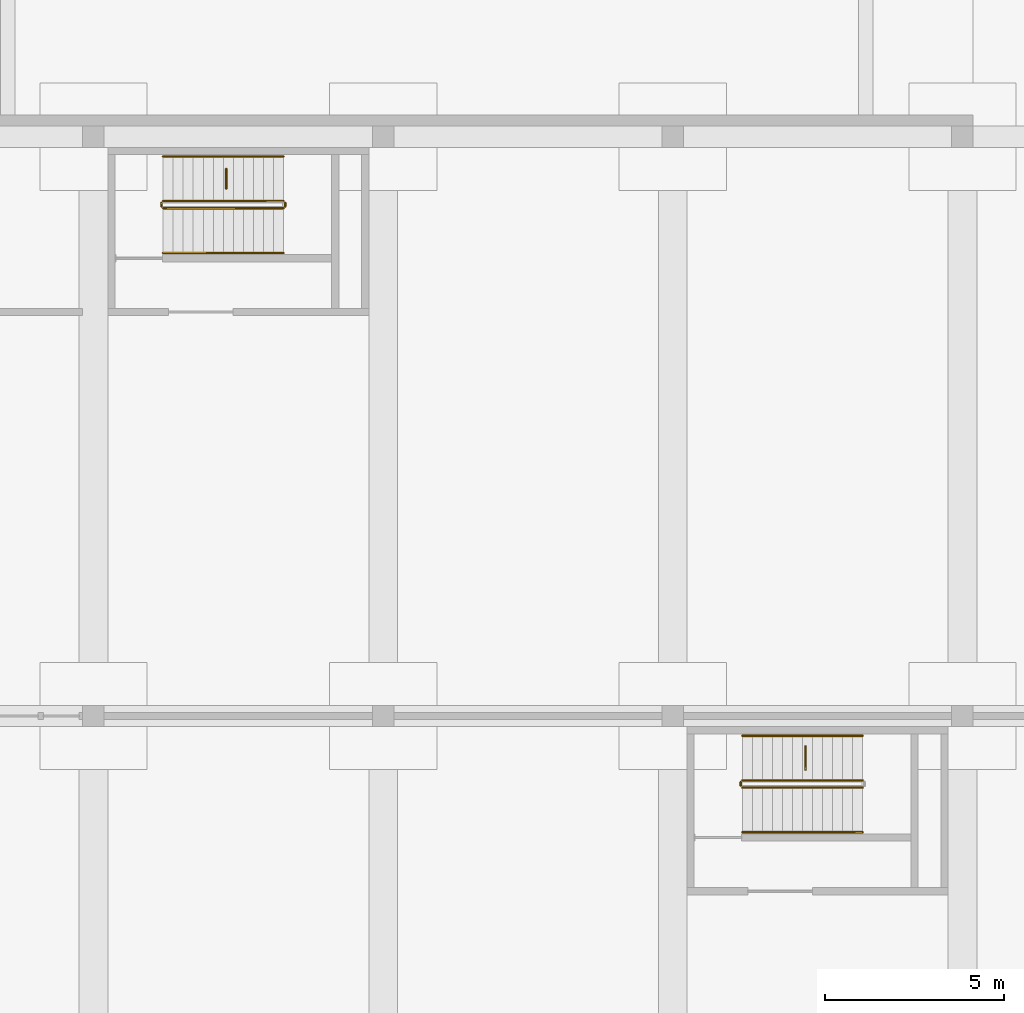
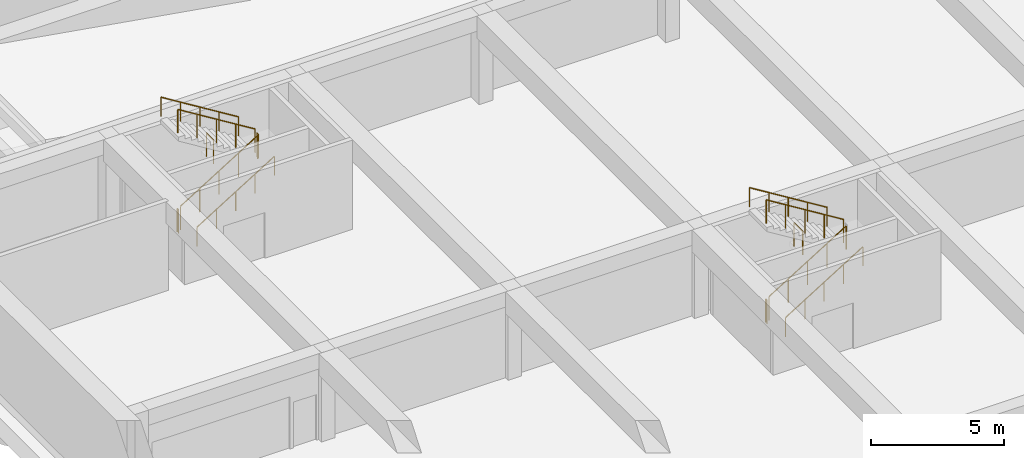
# One storey, part 18 of 25: 13 railings.
"""IFC4 building model written with IfcOpenShell, lengths in metres."""

from ifc_helpers import new_model, si_unit, direction, frame, origin, origin_2d, place, context, subcontext, project, spatial, circle, extrude, material, type_object, element, save


model = new_model("IFC4")

# Units and contexts
model_context = context("Model", 3, precision=1e-05, world=origin(), true_north=direction((0.0, 1.0)))
body_context = subcontext(model_context, "Body", "Model", "MODEL_VIEW")
ifc_project = project(units=[si_unit("LENGTHUNIT", "METRE"), si_unit("AREAUNIT", "SQUARE_METRE"), si_unit("VOLUMEUNIT", "CUBIC_METRE"), si_unit("PLANEANGLEUNIT", "RADIAN"), si_unit("MASSUNIT", "GRAM", prefix="KILO")], contexts=[model_context])

# Site, building, storey
site_placement = place(None, origin())
site = spatial("IfcSite", under=ifc_project, at=site_placement, CompositionType="ELEMENT")
building_placement = place(site_placement, origin())
building = spatial("IfcBuilding", under=site, at=building_placement, Name="Stone Belt Terrace Tower", CompositionType="ELEMENT")
storey_placement = place(building_placement, frame((0.0, 0.0, -13.5)))
storey = spatial("IfcBuildingStorey", under=building, at=storey_placement, Name="B3", CompositionType="ELEMENT", Elevation=-13.5)

# Railings
ifc_material_1 = material(Name="Structural steel C345", Category="steel")
railing_type_1 = type_object("IfcRailingType", Name="Car park guard 1100", PredefinedType="GUARDRAIL", material=ifc_material_1)
railing_1_placement = place(storey_placement, frame((-22.35009765625, -3.800048828125, 0.173095703125)))
element("IfcRailing", 1, at=railing_1_placement, inside=storey, type_object=railing_type_1, Name="B3 CS3 stair guard 1", PredefinedType="GUARDRAIL", context=body_context, shape_type="SweptSolid", body=[
    extrude(circle(Radius=0.02392578125, at=origin_2d()), frame((0.0, 0.0, 1.076171875), z_axis=(0.850623216509, 0.0, 0.525775754039), x_axis=(0.0, 1.0, 0.0)), (0.0, 0.0, 1.0), 3.9501953125),
    extrude(circle(Radius=0.02099609375, at=origin_2d()), origin(), (0.0, 0.0, 1.0), 1.052001953125),
    extrude(circle(Radius=0.02099609375, at=origin_2d()), frame((0.840087890625, 0.0, 0.519287109375)), (0.0, 0.0, 1.0), 1.052001953125),
    extrude(circle(Radius=0.02099609375, at=origin_2d()), frame((1.68017578125, 0.0, 1.03857421875)), (0.0, 0.0, 1.0), 1.052001953125),
    extrude(circle(Radius=0.02099609375, at=origin_2d()), frame((2.52001953125, 0.0, 1.5576171875)), (0.0, 0.0, 1.0), 1.052001953125),
    extrude(circle(Radius=0.02099609375, at=origin_2d()), frame((3.360107421875, 0.0, 2.076904296875)), (0.0, 0.0, 1.0), 1.052001953125),
])
railing_2_placement = place(storey_placement, frame((-18.93994140625, -3.75, 2.25)))
element("IfcRailing", 2, at=railing_2_placement, inside=storey, type_object=railing_type_1, Name="B3 CS3 stair guard 2", PredefinedType="GUARDRAIL", context=body_context, shape_type="SweptSolid", body=[
    extrude(circle(Radius=0.02392578125, at=origin_2d()), frame((0.0, 0.0, 1.076171875), z_axis=(0.0, 1.0, 0.0), x_axis=(-1.0, 0.0, 0.0)), (0.0, 0.0, 1.0), 0.10009765625),
    extrude(circle(Radius=0.02099609375, at=origin_2d()), origin(), (0.0, 0.0, 1.0), 1.052001953125),
    extrude(circle(Radius=0.02099609375, at=origin_2d()), frame((0.0, 0.10009765625, 0.0)), (0.0, 0.0, 1.0), 1.052001953125),
])
railing_3_placement = place(storey_placement, frame((-18.989990234375, -3.60009765625, 2.423095703125)))
element("IfcRailing", 3, at=railing_3_placement, inside=storey, type_object=railing_type_1, Name="B3 CS3 stair guard 3", PredefinedType="GUARDRAIL", context=body_context, shape_type="SweptSolid", body=[
    extrude(circle(Radius=0.02392578125, at=origin_2d()), frame((0.0, 0.0, 1.076171875), z_axis=(-0.850623216509, 0.0, 0.525775754039), x_axis=(0.0, -1.0, 0.0)), (0.0, 0.0, 1.0), 3.9501953125),
    extrude(circle(Radius=0.02099609375, at=origin_2d()), origin(), (0.0, 0.0, 1.0), 1.052001953125),
    extrude(circle(Radius=0.02099609375, at=origin_2d()), frame((-0.840087890625, 0.0, 0.519287109375)), (0.0, 0.0, 1.0), 1.052001953125),
    extrude(circle(Radius=0.02099609375, at=origin_2d()), frame((-1.68017578125, 0.0, 1.03857421875)), (0.0, 0.0, 1.0), 1.052001953125),
    extrude(circle(Radius=0.02099609375, at=origin_2d()), frame((-2.52001953125, 0.0, 1.5576171875)), (0.0, 0.0, 1.0), 1.052001953125),
    extrude(circle(Radius=0.02099609375, at=origin_2d()), frame((-3.360107421875, 0.0, 2.076904296875)), (0.0, 0.0, 1.0), 1.052001953125),
])
railing_4_placement = place(storey_placement, frame((-22.39990234375, -3.75, 0.0)))
element("IfcRailing", 4, at=railing_4_placement, inside=storey, type_object=railing_type_1, Name="B3 CS3 stair guard 4", PredefinedType="GUARDRAIL", context=body_context, shape_type="SweptSolid", body=[
    extrude(circle(Radius=0.02392578125, at=origin_2d()), frame((0.0, 0.0, 1.076171875), z_axis=(0.0, 1.0, 0.0), x_axis=(-1.0, 0.0, 0.0)), (0.0, 0.0, 1.0), 0.10009765625),
    extrude(circle(Radius=0.02099609375, at=origin_2d()), origin(), (0.0, 0.0, 1.0), 1.052001953125),
    extrude(circle(Radius=0.02099609375, at=origin_2d()), frame((0.0, 0.10009765625, 0.0)), (0.0, 0.0, 1.0), 1.052001953125),
])
railing_5_placement = place(storey_placement, frame((-6.14990234375, -20.0, 0.173095703125)))
element("IfcRailing", 5, at=railing_5_placement, inside=storey, type_object=railing_type_1, Name="B3 CS5 stair guard 1", PredefinedType="GUARDRAIL", context=body_context, shape_type="SweptSolid", body=[
    extrude(circle(Radius=0.02392578125, at=origin_2d()), frame((0.0, 0.0, 1.076171875), z_axis=(0.850606129759, 0.0, 0.525803396734), x_axis=(0.0, 1.0, 0.0)), (0.0, 0.0, 1.0), 3.949951171875),
    extrude(circle(Radius=0.02099609375, at=origin_2d()), origin(), (0.0, 0.0, 1.0), 1.052001953125),
    extrude(circle(Radius=0.02099609375, at=origin_2d()), frame((0.83984375, 0.0, 0.519287109375)), (0.0, 0.0, 1.0), 1.052001953125),
    extrude(circle(Radius=0.02099609375, at=origin_2d()), frame((1.679931640625, 0.0, 1.03857421875)), (0.0, 0.0, 1.0), 1.052001953125),
    extrude(circle(Radius=0.02099609375, at=origin_2d()), frame((2.52001953125, 0.0, 1.5576171875)), (0.0, 0.0, 1.0), 1.052001953125),
    extrude(circle(Radius=0.02099609375, at=origin_2d()), frame((3.35986328125, 0.0, 2.076904296875)), (0.0, 0.0, 1.0), 1.052001953125),
])
railing_6_placement = place(storey_placement, frame((-2.7900390625, -19.800048828125, 2.423095703125)))
element("IfcRailing", 6, at=railing_6_placement, inside=storey, type_object=railing_type_1, Name="B3 CS5 stair guard 3", PredefinedType="GUARDRAIL", context=body_context, shape_type="SweptSolid", body=[
    extrude(circle(Radius=0.02392578125, at=origin_2d()), frame((0.0, 0.0, 1.076171875), z_axis=(-0.850606129759, 0.0, 0.525803396734), x_axis=(0.0, -1.0, 0.0)), (0.0, 0.0, 1.0), 3.949951171875),
    extrude(circle(Radius=0.02099609375, at=origin_2d()), origin(), (0.0, 0.0, 1.0), 1.052001953125),
    extrude(circle(Radius=0.02099609375, at=origin_2d()), frame((-0.83984375, 0.0, 0.519287109375)), (0.0, 0.0, 1.0), 1.052001953125),
    extrude(circle(Radius=0.02099609375, at=origin_2d()), frame((-1.679931640625, 0.0, 1.03857421875)), (0.0, 0.0, 1.0), 1.052001953125),
    extrude(circle(Radius=0.02099609375, at=origin_2d()), frame((-2.52001953125, 0.0, 1.5576171875)), (0.0, 0.0, 1.0), 1.052001953125),
    extrude(circle(Radius=0.02099609375, at=origin_2d()), frame((-3.35986328125, 0.0, 2.076904296875)), (0.0, 0.0, 1.0), 1.052001953125),
])
railing_7_placement = place(storey_placement, frame((-6.199951171875, -19.949951171875, 0.0)))
element("IfcRailing", 7, at=railing_7_placement, inside=storey, type_object=railing_type_1, Name="B3 CS5 stair guard 4", PredefinedType="GUARDRAIL", context=body_context, shape_type="SweptSolid", body=[
    extrude(circle(Radius=0.02392578125, at=origin_2d()), frame((0.0, 0.0, 1.076171875), z_axis=(0.0, 1.0, 0.0), x_axis=(-1.0, 0.0, 0.0)), (0.0, 0.0, 1.0), 0.099853515625),
    extrude(circle(Radius=0.02099609375, at=origin_2d()), origin(), (0.0, 0.0, 1.0), 1.052001953125),
    extrude(circle(Radius=0.02099609375, at=origin_2d()), frame((0.0, 0.099853515625, 0.0)), (0.0, 0.0, 1.0), 1.052001953125),
])
railing_8_placement = place(storey_placement, frame((-4.389892578125, -19.5, 2.25)))
element("IfcRailing", 8, at=railing_8_placement, inside=storey, type_object=railing_type_1, Name="Car park stair landing guard", PredefinedType="GUARDRAIL", context=body_context, shape_type="SweptSolid", body=[
    extrude(circle(Radius=0.02392578125, at=origin_2d()), frame((0.0, 0.0, 1.076171875), z_axis=(0.0, 1.0, 0.0), x_axis=(-1.0, 0.0, 0.0)), (0.0, 0.0, 1.0), 0.64990234375),
    extrude(circle(Radius=0.02099609375, at=origin_2d()), origin(), (0.0, 0.0, 1.0), 1.052001953125),
    extrude(circle(Radius=0.02099609375, at=origin_2d()), frame((0.0, 0.64990234375, 0.0)), (0.0, 0.0, 1.0), 1.052001953125),
])
railing_9_placement = place(storey_placement, frame((-20.590087890625, -3.25, 2.25)))
element("IfcRailing", 9, at=railing_9_placement, inside=storey, type_object=railing_type_1, Name="Car park stair landing guard", PredefinedType="GUARDRAIL", context=body_context, shape_type="SweptSolid", body=[
    extrude(circle(Radius=0.02392578125, at=origin_2d()), frame((0.0, 0.0, 1.076171875), z_axis=(0.0, 1.0, 0.0), x_axis=(-1.0, 0.0, 0.0)), (0.0, 0.0, 1.0), 0.550048828125),
    extrude(circle(Radius=0.02099609375, at=origin_2d()), origin(), (0.0, 0.0, 1.0), 1.052001953125),
    extrude(circle(Radius=0.02099609375, at=origin_2d()), frame((0.0, 0.550048828125, 0.0)), (0.0, 0.0, 1.0), 1.052001953125),
])
ifc_material_2 = material(Name="Stainless steel", Category="steel")
railing_type_2 = type_object("IfcRailingType", Name="Car park handrail 900", PredefinedType="HANDRAIL", material=ifc_material_2)
railing_10_placement = place(storey_placement, frame((-22.35009765625, -5.050048828125, 0.173095703125)))
element("IfcRailing", 10, at=railing_10_placement, inside=storey, type_object=railing_type_2, Name="B3 CS3 stair handrail 1", PredefinedType="HANDRAIL", context=body_context, shape_type="SweptSolid", body=[
    extrude(circle(Radius=0.02392578125, at=origin_2d()), frame((0.0, 0.0, 0.8759765625), z_axis=(0.850623216509, 0.0, 0.525775754039), x_axis=(0.0, 1.0, 0.0)), (0.0, 0.0, 1.0), 3.9501953125),
    extrude(circle(Radius=0.02099609375, at=origin_2d()), origin(), (0.0, 0.0, 1.0), 0.851806640625),
    extrude(circle(Radius=0.02099609375, at=origin_2d()), frame((0.840087890625, 0.0, 0.519287109375)), (0.0, 0.0, 1.0), 0.851806640625),
    extrude(circle(Radius=0.02099609375, at=origin_2d()), frame((1.68017578125, 0.0, 1.03857421875)), (0.0, 0.0, 1.0), 0.851806640625),
    extrude(circle(Radius=0.02099609375, at=origin_2d()), frame((2.52001953125, 0.0, 1.5576171875)), (0.0, 0.0, 1.0), 0.851806640625),
    extrude(circle(Radius=0.02099609375, at=origin_2d()), frame((3.360107421875, 0.0, 2.076904296875)), (0.0, 0.0, 1.0), 0.851806640625),
])
railing_11_placement = place(storey_placement, frame((-18.989990234375, -2.35009765625, 2.423095703125)))
element("IfcRailing", 11, at=railing_11_placement, inside=storey, type_object=railing_type_2, Name="B3 CS3 stair handrail 2", PredefinedType="HANDRAIL", context=body_context, shape_type="SweptSolid", body=[
    extrude(circle(Radius=0.02392578125, at=origin_2d()), frame((0.0, 0.0, 0.8759765625), z_axis=(-0.850623216509, 0.0, 0.525775754039), x_axis=(0.0, -1.0, 0.0)), (0.0, 0.0, 1.0), 3.9501953125),
    extrude(circle(Radius=0.02099609375, at=origin_2d()), origin(), (0.0, 0.0, 1.0), 0.851806640625),
    extrude(circle(Radius=0.02099609375, at=origin_2d()), frame((-0.840087890625, 0.0, 0.519287109375)), (0.0, 0.0, 1.0), 0.851806640625),
    extrude(circle(Radius=0.02099609375, at=origin_2d()), frame((-1.68017578125, 0.0, 1.03857421875)), (0.0, 0.0, 1.0), 0.851806640625),
    extrude(circle(Radius=0.02099609375, at=origin_2d()), frame((-2.52001953125, 0.0, 1.5576171875)), (0.0, 0.0, 1.0), 0.851806640625),
    extrude(circle(Radius=0.02099609375, at=origin_2d()), frame((-3.360107421875, 0.0, 2.076904296875)), (0.0, 0.0, 1.0), 0.851806640625),
])
railing_12_placement = place(storey_placement, frame((-6.14990234375, -21.25, 0.173095703125)))
element("IfcRailing", 12, at=railing_12_placement, inside=storey, type_object=railing_type_2, Name="B3 CS5 stair handrail 1", PredefinedType="HANDRAIL", context=body_context, shape_type="SweptSolid", body=[
    extrude(circle(Radius=0.02392578125, at=origin_2d()), frame((0.0, 0.0, 0.8759765625), z_axis=(0.850606129759, 0.0, 0.525803396734), x_axis=(0.0, 1.0, 0.0)), (0.0, 0.0, 1.0), 3.949951171875),
    extrude(circle(Radius=0.02099609375, at=origin_2d()), origin(), (0.0, 0.0, 1.0), 0.851806640625),
    extrude(circle(Radius=0.02099609375, at=origin_2d()), frame((0.83984375, 0.0, 0.519287109375)), (0.0, 0.0, 1.0), 0.851806640625),
    extrude(circle(Radius=0.02099609375, at=origin_2d()), frame((1.679931640625, 0.0, 1.03857421875)), (0.0, 0.0, 1.0), 0.851806640625),
    extrude(circle(Radius=0.02099609375, at=origin_2d()), frame((2.52001953125, 0.0, 1.5576171875)), (0.0, 0.0, 1.0), 0.851806640625),
    extrude(circle(Radius=0.02099609375, at=origin_2d()), frame((3.35986328125, 0.0, 2.076904296875)), (0.0, 0.0, 1.0), 0.851806640625),
])
railing_13_placement = place(storey_placement, frame((-2.7900390625, -18.550048828125, 2.423095703125)))
element("IfcRailing", 13, at=railing_13_placement, inside=storey, type_object=railing_type_2, Name="B3 CS5 stair handrail 2", PredefinedType="HANDRAIL", context=body_context, shape_type="SweptSolid", body=[
    extrude(circle(Radius=0.02392578125, at=origin_2d()), frame((0.0, 0.0, 0.8759765625), z_axis=(-0.850606129759, 0.0, 0.525803396734), x_axis=(0.0, -1.0, 0.0)), (0.0, 0.0, 1.0), 3.949951171875),
    extrude(circle(Radius=0.02099609375, at=origin_2d()), origin(), (0.0, 0.0, 1.0), 0.851806640625),
    extrude(circle(Radius=0.02099609375, at=origin_2d()), frame((-0.83984375, 0.0, 0.519287109375)), (0.0, 0.0, 1.0), 0.851806640625),
    extrude(circle(Radius=0.02099609375, at=origin_2d()), frame((-1.679931640625, 0.0, 1.03857421875)), (0.0, 0.0, 1.0), 0.851806640625),
    extrude(circle(Radius=0.02099609375, at=origin_2d()), frame((-2.52001953125, 0.0, 1.5576171875)), (0.0, 0.0, 1.0), 0.851806640625),
    extrude(circle(Radius=0.02099609375, at=origin_2d()), frame((-3.35986328125, 0.0, 2.076904296875)), (0.0, 0.0, 1.0), 0.851806640625),
])

save(model, "model.ifc")
